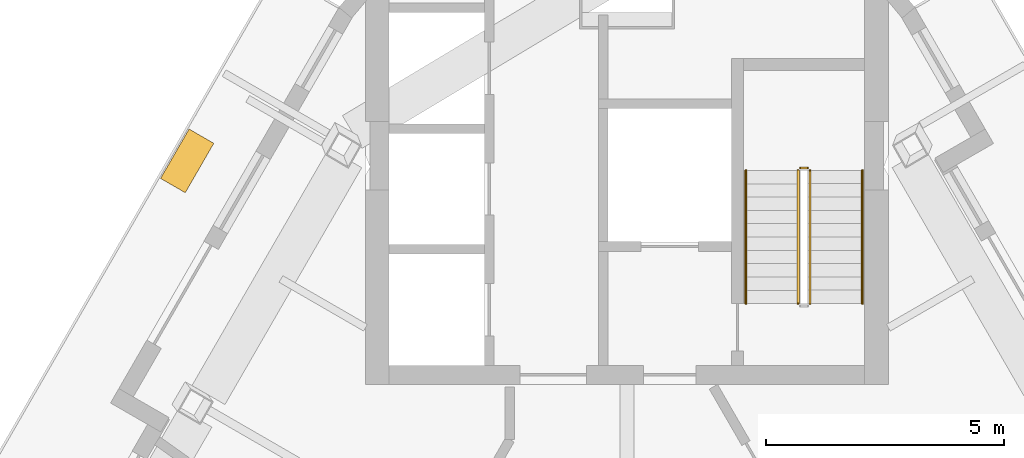
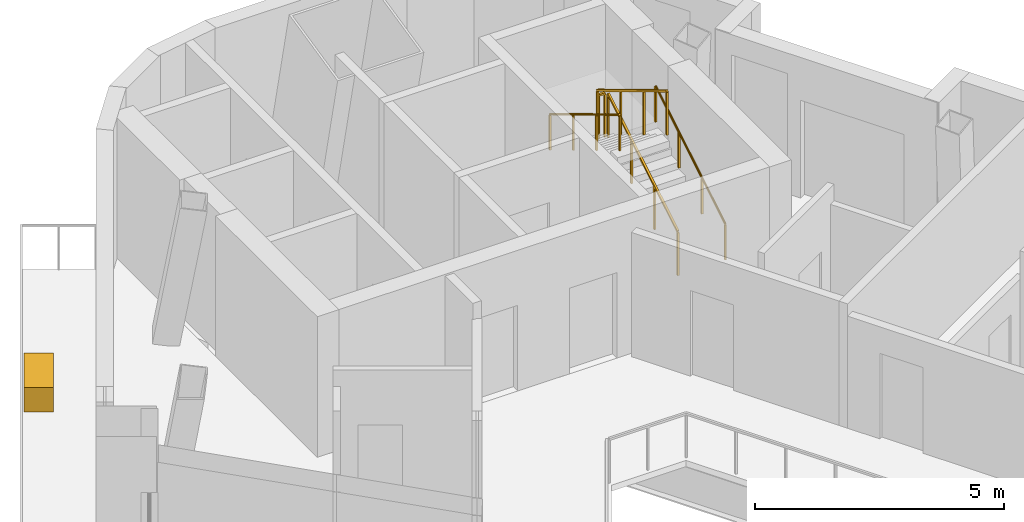
# One storey, part 11 of 11: 5 railings, 1 covering.
"""IFC4 building model written with IfcOpenShell, lengths in metres."""

from ifc_helpers import new_model, si_unit, direction, frame, origin, origin_2d, place, context, subcontext, project, spatial, rectangle, circle, extrude, material, type_object, element, save


model = new_model("IFC4")

# Units and contexts
model_context = context("Model", 3, precision=1e-05, world=origin(), true_north=direction((0.0, 1.0)))
body_context = subcontext(model_context, "Body", "Model", "MODEL_VIEW")
ifc_project = project(units=[si_unit("LENGTHUNIT", "METRE"), si_unit("AREAUNIT", "SQUARE_METRE"), si_unit("VOLUMEUNIT", "CUBIC_METRE"), si_unit("PLANEANGLEUNIT", "RADIAN"), si_unit("MASSUNIT", "GRAM", prefix="KILO")], contexts=[model_context])

# Site, building, storey
site_placement = place(None, origin())
site = spatial("IfcSite", under=ifc_project, at=site_placement, CompositionType="ELEMENT")
building_placement = place(site_placement, origin())
building = spatial("IfcBuilding", under=site, at=building_placement, Name="Apuvela Tower Hotel", CompositionType="ELEMENT")
storey_placement = place(building_placement, frame((0.0, 0.0, 328.10009765625)))
storey = spatial("IfcBuildingStorey", under=building, at=storey_placement, Name="L82", CompositionType="ELEMENT", Elevation=328.10009765625)

# Railings
ifc_material_1 = material(Name="Steel S275 balustrade", Category="steel")
railing_type_1 = type_object("IfcRailingType", Name="COR-GUARD-1100", PredefinedType="GUARDRAIL", material=ifc_material_1)
railing_1_placement = place(storey_placement, frame((3.85009765625, 14.60009765625, 0.16796875)))
element("IfcRailing", 1, at=railing_1_placement, inside=storey, type_object=railing_type_1, Name="L82 ST1 stair guard 1", PredefinedType="GUARDRAIL", context=body_context, shape_type="SweptSolid", body=[
    extrude(rectangle(XDim=0.048095703125, YDim=0.048095703125, at=origin_2d()), frame((0.0, 0.0, 1.076171875), z_axis=(0.0, 0.857222391501, 0.514946377315), x_axis=(-1.0, 0.0, 0.0)), (0.0, 0.0, 1.0), 3.26611328125),
    extrude(rectangle(XDim=0.0419921875, YDim=0.0419921875, at=origin_2d()), origin(), (0.0, 0.0, 1.0), 1.052001953125),
    extrude(rectangle(XDim=0.0419921875, YDim=0.0419921875, at=origin_2d()), frame((0.0, 0.933349609375, 0.560546875)), (0.0, 0.0, 1.0), 1.052001953125),
    extrude(rectangle(XDim=0.0419921875, YDim=0.0419921875, at=origin_2d()), frame((0.0, 1.866455078125, 1.121337890625)), (0.0, 0.0, 1.0), 1.052001953125),
    extrude(rectangle(XDim=0.0419921875, YDim=0.0419921875, at=origin_2d()), frame((0.0, 2.7998046875, 1.681884765625)), (0.0, 0.0, 1.0), 1.052001953125),
])
railing_2_placement = place(storey_placement, frame((3.800048828125, 17.449951171875, 1.849853515625)))
element("IfcRailing", 2, at=railing_2_placement, inside=storey, type_object=railing_type_1, Name="L82 ST1 stair guard 2", PredefinedType="GUARDRAIL", context=body_context, shape_type="SweptSolid", body=[
    extrude(rectangle(XDim=0.048095703125, YDim=0.048095703125, at=origin_2d()), frame((0.0, 0.0, 1.076171875), z_axis=(-1.0, 0.0, 0.0), x_axis=(0.0, -1.0, 0.0)), (0.0, 0.0, 1.0), 0.150146484375),
    extrude(rectangle(XDim=0.0419921875, YDim=0.0419921875, at=origin_2d()), origin(), (0.0, 0.0, 1.0), 1.052001953125),
    extrude(rectangle(XDim=0.0419921875, YDim=0.0419921875, at=origin_2d()), frame((-0.150146484375, 0.0, 0.0)), (0.0, 0.0, 1.0), 1.052001953125),
])
railing_3_placement = place(storey_placement, frame((3.60009765625, 17.39990234375, 2.01806640625)))
element("IfcRailing", 3, at=railing_3_placement, inside=storey, type_object=railing_type_1, Name="L82 ST1 stair guard 3", PredefinedType="GUARDRAIL", context=body_context, shape_type="SweptSolid", body=[
    extrude(rectangle(XDim=0.048095703125, YDim=0.048095703125, at=origin_2d()), frame((0.0, 0.0, 1.076171875), z_axis=(0.0, -0.857222391501, 0.514946377315), x_axis=(1.0, 0.0, 0.0)), (0.0, 0.0, 1.0), 3.26611328125),
    extrude(rectangle(XDim=0.0419921875, YDim=0.0419921875, at=origin_2d()), origin(), (0.0, 0.0, 1.0), 1.052001953125),
    extrude(rectangle(XDim=0.0419921875, YDim=0.0419921875, at=origin_2d()), frame((0.0, -0.933349609375, 0.560546875)), (0.0, 0.0, 1.0), 1.052001953125),
    extrude(rectangle(XDim=0.0419921875, YDim=0.0419921875, at=origin_2d()), frame((0.0, -1.866455078125, 1.121337890625)), (0.0, 0.0, 1.0), 1.052001953125),
    extrude(rectangle(XDim=0.0419921875, YDim=0.0419921875, at=origin_2d()), frame((0.0, -2.7998046875, 1.681884765625)), (0.0, 0.0, 1.0), 1.052001953125),
])
ifc_material_2 = material(Name="Stainless steel 316 handrail", Category="steel")
railing_type_2 = type_object("IfcRailingType", Name="COR-HANDRAIL-900", PredefinedType="HANDRAIL", material=ifc_material_2)
railing_4_placement = place(storey_placement, frame((4.949951171875, 14.60009765625, 0.16796875)))
element("IfcRailing", 4, at=railing_4_placement, inside=storey, type_object=railing_type_2, Name="L82 ST1 stair handrail 1", PredefinedType="HANDRAIL", context=body_context, shape_type="SweptSolid", body=[
    extrude(circle(Radius=0.02392578125, at=origin_2d()), frame((0.0, 0.0, 0.8759765625), z_axis=(0.0, 0.857222391501, 0.514946377315), x_axis=(-1.0, 0.0, 0.0)), (0.0, 0.0, 1.0), 3.26611328125),
    extrude(rectangle(XDim=0.0419921875, YDim=0.0419921875, at=origin_2d()), origin(), (0.0, 0.0, 1.0), 0.851806640625),
    extrude(rectangle(XDim=0.0419921875, YDim=0.0419921875, at=origin_2d()), frame((0.0, 0.933349609375, 0.560546875)), (0.0, 0.0, 1.0), 0.851806640625),
    extrude(rectangle(XDim=0.0419921875, YDim=0.0419921875, at=origin_2d()), frame((0.0, 1.866455078125, 1.121337890625)), (0.0, 0.0, 1.0), 0.851806640625),
    extrude(rectangle(XDim=0.0419921875, YDim=0.0419921875, at=origin_2d()), frame((0.0, 2.7998046875, 1.681884765625)), (0.0, 0.0, 1.0), 0.851806640625),
])
railing_5_placement = place(storey_placement, frame((2.5, 17.39990234375, 2.01806640625)))
element("IfcRailing", 5, at=railing_5_placement, inside=storey, type_object=railing_type_2, Name="L82 ST1 stair handrail 2", PredefinedType="HANDRAIL", context=body_context, shape_type="SweptSolid", body=[
    extrude(circle(Radius=0.02392578125, at=origin_2d()), frame((0.0, 0.0, 0.8759765625), z_axis=(0.0, -0.857222391501, 0.514946377315), x_axis=(1.0, 0.0, 0.0)), (0.0, 0.0, 1.0), 3.26611328125),
    extrude(rectangle(XDim=0.0419921875, YDim=0.0419921875, at=origin_2d()), origin(), (0.0, 0.0, 1.0), 0.851806640625),
    extrude(rectangle(XDim=0.0419921875, YDim=0.0419921875, at=origin_2d()), frame((0.0, -0.933349609375, 0.560546875)), (0.0, 0.0, 1.0), 0.851806640625),
    extrude(rectangle(XDim=0.0419921875, YDim=0.0419921875, at=origin_2d()), frame((0.0, -1.866455078125, 1.121337890625)), (0.0, 0.0, 1.0), 0.851806640625),
    extrude(rectangle(XDim=0.0419921875, YDim=0.0419921875, at=origin_2d()), frame((0.0, -2.7998046875, 1.681884765625)), (0.0, 0.0, 1.0), 0.851806640625),
])

# Covering
ifc_material_3 = material(Name="Planting substrate and soil, planted")
covering_type = type_object("IfcCoveringType", Name="ENV-PLANTER-1200x600", PredefinedType="USERDEFINED", material=ifc_material_3)
covering_placement = place(storey_placement, frame((-9.2490234375, 17.600830078125, -0.000244140625), z_axis=(0.0, 0.0, 1.0), x_axis=(-0.5, -0.866025403784, 0.0)))
element("IfcCovering", 6, at=covering_placement, inside=storey, type_object=covering_type, Name="Planter NW4", ObjectType="PLANTER", PredefinedType="USERDEFINED", context=body_context, shape_type="SweptSolid", body=[
    extrude(rectangle(XDim=1.199951171875, YDim=0.60009765625, at=origin_2d()), origin(), (0.0, 0.0, 1.0), 0.60009765625),
])

save(model, "model.ifc")
